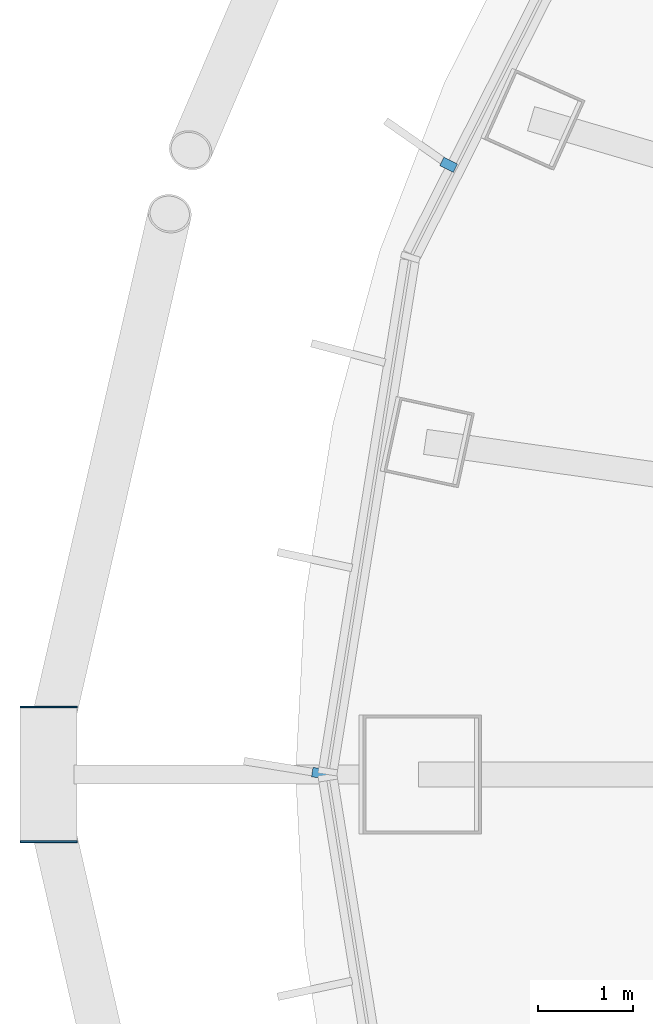
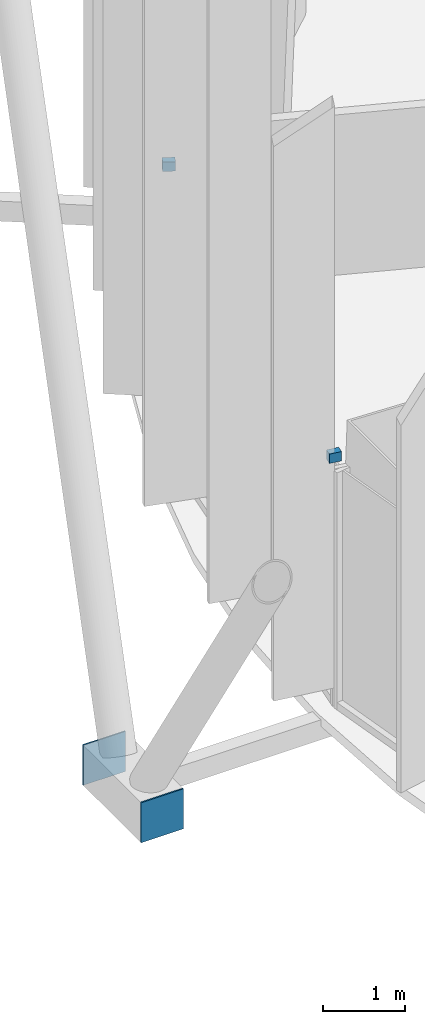
# One storey, part 13 of 20: 4 discrete accessories.
"""IFC4 building model written with IfcOpenShell, lengths in metres."""

from ifc_helpers import new_model, si_unit, direction, frame, origin, origin_2d, place, context, subcontext, project, spatial, rectangle, extrude, material, layer, layer_set, type_object, element, save


model = new_model("IFC4")

# Units and contexts
model_context = context("Model", 3, precision=1e-05, world=origin(), true_north=direction((0.0, 1.0)))
body_context = subcontext(model_context, "Body", "Model", "MODEL_VIEW")
ifc_project = project(units=[si_unit("LENGTHUNIT", "METRE"), si_unit("AREAUNIT", "SQUARE_METRE"), si_unit("VOLUMEUNIT", "CUBIC_METRE"), si_unit("PLANEANGLEUNIT", "RADIAN"), si_unit("MASSUNIT", "GRAM", prefix="KILO")], contexts=[model_context])

# Site, building, storey
site_placement = place(None, origin())
site = spatial("IfcSite", under=ifc_project, at=site_placement, CompositionType="ELEMENT")
building_placement = place(site_placement, origin())
building = spatial("IfcBuilding", under=site, at=building_placement, Name="Siaravel Broadcast Tower", CompositionType="ELEMENT")
storey_placement = place(building_placement, frame((0.0, 0.0, 108.199951171875)))
storey = spatial("IfcBuildingStorey", under=building, at=storey_placement, Name="L25", CompositionType="ELEMENT", Elevation=108.199951171875)

# Discrete accessories
ifc_material_1 = material(Name="Stainless steel 316", Category="steel")
discrete_accessory_type_1 = type_object("IfcDiscreteAccessoryType", Name="Stainless steel fin bracket", PredefinedType="USERDEFINED", material=ifc_material_1)
for number, where, z_axis, x_axis, name in (
    (1, (-24.3779296875, 6.4169921875, 3.68505859375), (0.0, 0.0, 1.0), (-0.892392151, 0.451260732, 0.0), "Fin bracket L25-31"),
    (2, (-25.734375, 0.0126953125, 3.68505859375), (0.0, 0.0, 1.0), (-0.987329198, 0.158685394, 0.0), "Fin bracket L25-34"),
):
    element("IfcDiscreteAccessory", number, at=place(storey_placement, frame(where, z_axis=z_axis, x_axis=x_axis)), inside=storey, type_object=discrete_accessory_type_1, Name=name, ObjectType="BRACKET", PredefinedType="USERDEFINED", context=body_context, shape_type="SweptSolid", body=[
        extrude(rectangle(XDim=0.159912109375, YDim=0.10009765625, at=origin_2d()), origin(), (0.0, 0.0, 1.0), 0.139892578125),
    ])
ifc_material_2 = material(Name="Steel S355", Category="steel")
ifc_layer = layer(ifc_material_2, 0.02001953125)
ifc_layer_set = layer_set([ifc_layer], Name="Steel S355")
discrete_accessory_type_2 = type_object("IfcDiscreteAccessoryType", Name="Steel end plate 20 mm", PredefinedType="USERDEFINED", material=ifc_layer_set)
for number, where, z_axis, x_axis, name in (
    (3, (-28.589599609375, -0.7099609375, -0.5), (0.0, 0.0, 1.0), (0.0, -1.0, 0.0), "End plate R11 station 36A"),
    (4, (-28.589599609375, 0.7099609375, -0.5), (0.0, 0.0, 1.0), (0.0, -1.0, 0.0), "End plate R11 station 36B"),
):
    element("IfcDiscreteAccessory", number, at=place(storey_placement, frame(where, z_axis=z_axis, x_axis=x_axis)), inside=storey, type_object=discrete_accessory_type_2, Name=name, ObjectType="END PLATE", PredefinedType="USERDEFINED", context=body_context, shape_type="SweptSolid", body=[
        extrude(rectangle(XDim=0.02001953125, YDim=0.60009765625, at=origin_2d()), origin(), (0.0, 0.0, 1.0), 0.60009765625),
    ])

save(model, "model.ifc")
